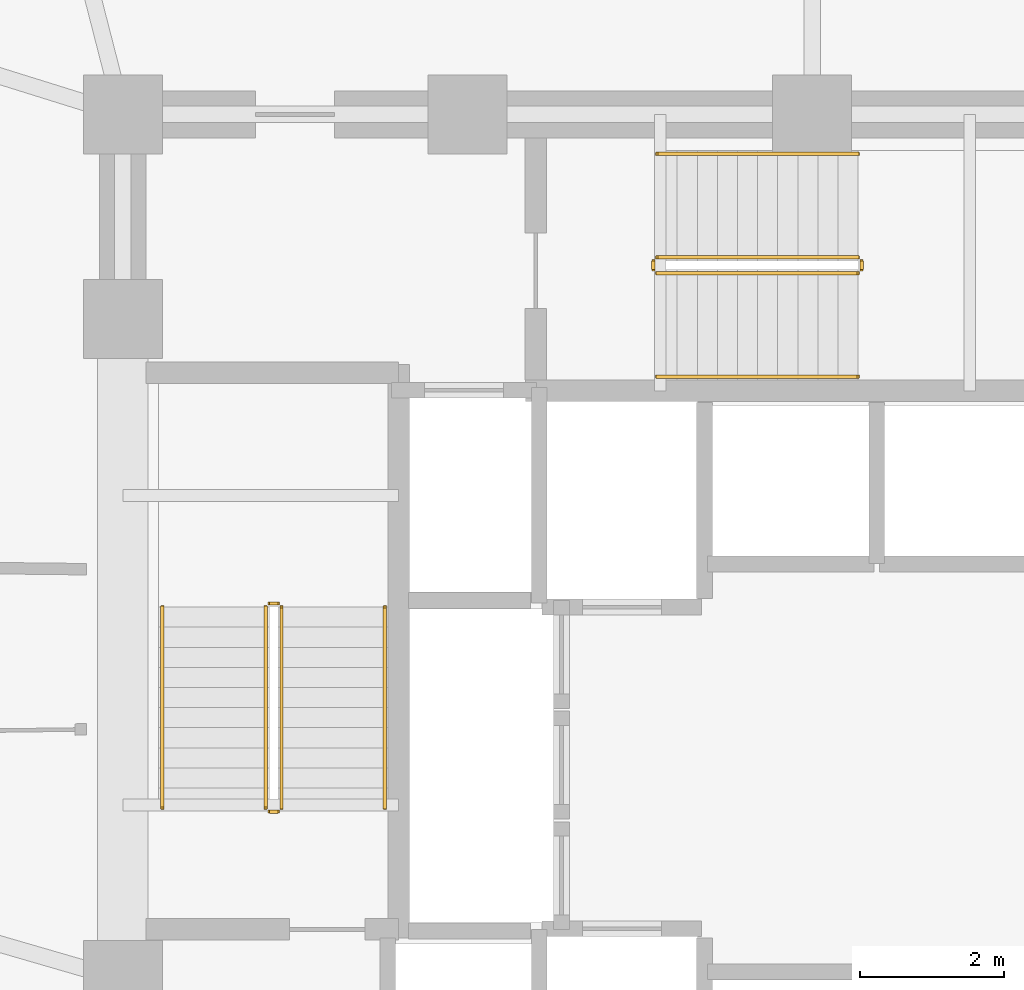
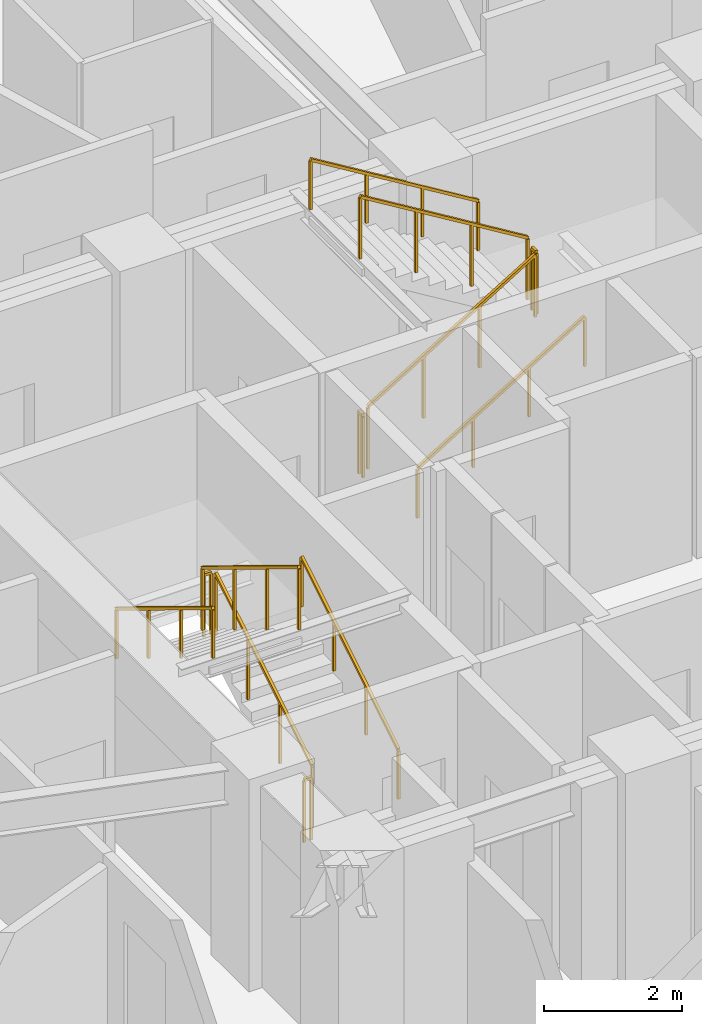
# One storey, part 29 of 31: 12 railings.
"""IFC4 building model written with IfcOpenShell, lengths in metres."""

from ifc_helpers import new_model, si_unit, direction, frame, origin, origin_2d, place, context, subcontext, project, spatial, rectangle, extrude, material, type_object, element, save


model = new_model("IFC4")

# Units and contexts
model_context = context("Model", 3, precision=1e-05, world=origin(), true_north=direction((0.0, 1.0)))
body_context = subcontext(model_context, "Body", "Model", "MODEL_VIEW")
ifc_project = project(units=[si_unit("LENGTHUNIT", "METRE"), si_unit("AREAUNIT", "SQUARE_METRE"), si_unit("VOLUMEUNIT", "CUBIC_METRE"), si_unit("PLANEANGLEUNIT", "RADIAN"), si_unit("MASSUNIT", "GRAM", prefix="KILO")], contexts=[model_context])

# Site, building, storey
site_placement = place(None, origin())
site = spatial("IfcSite", under=ifc_project, at=site_placement, CompositionType="ELEMENT")
building_placement = place(site_placement, origin())
building = spatial("IfcBuilding", under=site, at=building_placement, Name="Vantalir Tower", CompositionType="ELEMENT")
storey_placement = place(building_placement, frame((0.0, 0.0, 34.5)))
storey = spatial("IfcBuildingStorey", under=building, at=storey_placement, Name="L07", CompositionType="ELEMENT", Elevation=34.5)

# Railings
ifc_material_1 = material(Name="Anodised aluminium and stainless steel guard", Category="steel")
railing_type_1 = type_object("IfcRailingType", Name="RAL-GUARD-1120", PredefinedType="GUARDRAIL", material=ifc_material_1)
railing_1_placement = place(storey_placement, frame((24.110107421875, 22.7900390625, 0.17041015625)))
element("IfcRailing", 1, at=railing_1_placement, inside=storey, type_object=railing_type_1, Name="L07 ST1 stair guard 1", PredefinedType="GUARDRAIL", context=body_context, shape_type="SweptSolid", body=[
    extrude(rectangle(XDim=0.048095703125, YDim=0.048095703125, at=origin_2d()), frame((0.0, 0.0, 1.09619140625), z_axis=(0.0, 0.854169791009, 0.51999420009), x_axis=(-1.0, 0.0, 0.0)), (0.0, 0.0, 1.0), 3.278076171875),
    extrude(rectangle(XDim=0.0419921875, YDim=0.0419921875, at=origin_2d()), origin(), (0.0, 0.0, 1.0), 1.072021484375),
    extrude(rectangle(XDim=0.0419921875, YDim=0.0419921875, at=origin_2d()), frame((0.0, 0.933349609375, 0.568115234375)), (0.0, 0.0, 1.0), 1.072021484375),
    extrude(rectangle(XDim=0.0419921875, YDim=0.0419921875, at=origin_2d()), frame((0.0, 1.86669921875, 1.136474609375)), (0.0, 0.0, 1.0), 1.072021484375),
    extrude(rectangle(XDim=0.0419921875, YDim=0.0419921875, at=origin_2d()), frame((0.0, 2.800048828125, 1.70458984375)), (0.0, 0.0, 1.0), 1.072021484375),
])
railing_2_placement = place(storey_placement, frame((24.06005859375, 25.639892578125, 1.875)))
element("IfcRailing", 2, at=railing_2_placement, inside=storey, type_object=railing_type_1, Name="L07 ST1 stair guard 2", PredefinedType="GUARDRAIL", context=body_context, shape_type="SweptSolid", body=[
    extrude(rectangle(XDim=0.048095703125, YDim=0.048095703125, at=origin_2d()), frame((0.0, 0.0, 1.09619140625), z_axis=(-1.0, 0.0, 0.0), x_axis=(0.0, -1.0, 0.0)), (0.0, 0.0, 1.0), 0.1201171875),
    extrude(rectangle(XDim=0.0419921875, YDim=0.0419921875, at=origin_2d()), origin(), (0.0, 0.0, 1.0), 1.072021484375),
    extrude(rectangle(XDim=0.0419921875, YDim=0.0419921875, at=origin_2d()), frame((-0.1201171875, 0.0, 0.0)), (0.0, 0.0, 1.0), 1.072021484375),
])
railing_3_placement = place(storey_placement, frame((23.889892578125, 25.590087890625, 2.04541015625)))
element("IfcRailing", 3, at=railing_3_placement, inside=storey, type_object=railing_type_1, Name="L07 ST1 stair guard 3", PredefinedType="GUARDRAIL", context=body_context, shape_type="SweptSolid", body=[
    extrude(rectangle(XDim=0.048095703125, YDim=0.048095703125, at=origin_2d()), frame((0.0, 0.0, 1.09619140625), z_axis=(0.0, -0.854169791009, 0.51999420009), x_axis=(1.0, 0.0, 0.0)), (0.0, 0.0, 1.0), 3.278076171875),
    extrude(rectangle(XDim=0.0419921875, YDim=0.0419921875, at=origin_2d()), origin(), (0.0, 0.0, 1.0), 1.072021484375),
    extrude(rectangle(XDim=0.0419921875, YDim=0.0419921875, at=origin_2d()), frame((0.0, -0.933349609375, 0.568115234375)), (0.0, 0.0, 1.0), 1.072021484375),
    extrude(rectangle(XDim=0.0419921875, YDim=0.0419921875, at=origin_2d()), frame((0.0, -1.86669921875, 1.136474609375)), (0.0, 0.0, 1.0), 1.072021484375),
    extrude(rectangle(XDim=0.0419921875, YDim=0.0419921875, at=origin_2d()), frame((0.0, -2.800048828125, 1.70458984375)), (0.0, 0.0, 1.0), 1.072021484375),
])
railing_4_placement = place(storey_placement, frame((24.06005859375, 22.739990234375, 0.0)))
element("IfcRailing", 4, at=railing_4_placement, inside=storey, type_object=railing_type_1, Name="L07 ST1 stair guard 4", PredefinedType="GUARDRAIL", context=body_context, shape_type="SweptSolid", body=[
    extrude(rectangle(XDim=0.048095703125, YDim=0.048095703125, at=origin_2d()), frame((0.0, 0.0, 1.09619140625), z_axis=(-1.0, 0.0, 0.0), x_axis=(0.0, -1.0, 0.0)), (0.0, 0.0, 1.0), 0.1201171875),
    extrude(rectangle(XDim=0.0419921875, YDim=0.0419921875, at=origin_2d()), origin(), (0.0, 0.0, 1.0), 1.072021484375),
    extrude(rectangle(XDim=0.0419921875, YDim=0.0419921875, at=origin_2d()), frame((-0.1201171875, 0.0, 0.0)), (0.0, 0.0, 1.0), 1.072021484375),
])
railing_5_placement = place(storey_placement, frame((29.340087890625, 30.239990234375, 0.17041015625)))
element("IfcRailing", 5, at=railing_5_placement, inside=storey, type_object=railing_type_1, Name="L07 ST3 stair guard 1", PredefinedType="GUARDRAIL", context=body_context, shape_type="SweptSolid", body=[
    extrude(rectangle(XDim=0.048095703125, YDim=0.048095703125, at=origin_2d()), frame((0.0, 0.0, 1.09619140625), z_axis=(0.854149651119, 0.0, 0.520027281489), x_axis=(0.0, 1.0, 0.0)), (0.0, 0.0, 1.0), 3.27783203125),
    extrude(rectangle(XDim=0.0419921875, YDim=0.0419921875, at=origin_2d()), origin(), (0.0, 0.0, 1.0), 1.072021484375),
    extrude(rectangle(XDim=0.0419921875, YDim=0.0419921875, at=origin_2d()), frame((0.933349609375, 0.0, 0.568115234375)), (0.0, 0.0, 1.0), 1.072021484375),
    extrude(rectangle(XDim=0.0419921875, YDim=0.0419921875, at=origin_2d()), frame((1.866455078125, 0.0, 1.136474609375)), (0.0, 0.0, 1.0), 1.072021484375),
    extrude(rectangle(XDim=0.0419921875, YDim=0.0419921875, at=origin_2d()), frame((2.7998046875, 0.0, 1.70458984375)), (0.0, 0.0, 1.0), 1.072021484375),
])
railing_6_placement = place(storey_placement, frame((32.18994140625, 30.2900390625, 1.875)))
element("IfcRailing", 6, at=railing_6_placement, inside=storey, type_object=railing_type_1, Name="L07 ST3 stair guard 2", PredefinedType="GUARDRAIL", context=body_context, shape_type="SweptSolid", body=[
    extrude(rectangle(XDim=0.048095703125, YDim=0.048095703125, at=origin_2d()), frame((0.0, 0.0, 1.09619140625), z_axis=(0.0, 1.0, 0.0), x_axis=(-1.0, 0.0, 0.0)), (0.0, 0.0, 1.0), 0.119873046875),
    extrude(rectangle(XDim=0.0419921875, YDim=0.0419921875, at=origin_2d()), origin(), (0.0, 0.0, 1.0), 1.072021484375),
    extrude(rectangle(XDim=0.0419921875, YDim=0.0419921875, at=origin_2d()), frame((0.0, 0.119873046875, 0.0)), (0.0, 0.0, 1.0), 1.072021484375),
])
railing_7_placement = place(storey_placement, frame((32.139892578125, 30.4599609375, 2.04541015625)))
element("IfcRailing", 7, at=railing_7_placement, inside=storey, type_object=railing_type_1, Name="L07 ST3 stair guard 3", PredefinedType="GUARDRAIL", context=body_context, shape_type="SweptSolid", body=[
    extrude(rectangle(XDim=0.048095703125, YDim=0.048095703125, at=origin_2d()), frame((0.0, 0.0, 1.09619140625), z_axis=(-0.854149651119, 0.0, 0.520027281489), x_axis=(0.0, -1.0, 0.0)), (0.0, 0.0, 1.0), 3.27783203125),
    extrude(rectangle(XDim=0.0419921875, YDim=0.0419921875, at=origin_2d()), origin(), (0.0, 0.0, 1.0), 1.072021484375),
    extrude(rectangle(XDim=0.0419921875, YDim=0.0419921875, at=origin_2d()), frame((-0.933349609375, 0.0, 0.568115234375)), (0.0, 0.0, 1.0), 1.072021484375),
    extrude(rectangle(XDim=0.0419921875, YDim=0.0419921875, at=origin_2d()), frame((-1.866455078125, 0.0, 1.136474609375)), (0.0, 0.0, 1.0), 1.072021484375),
    extrude(rectangle(XDim=0.0419921875, YDim=0.0419921875, at=origin_2d()), frame((-2.7998046875, 0.0, 1.70458984375)), (0.0, 0.0, 1.0), 1.072021484375),
])
railing_8_placement = place(storey_placement, frame((29.2900390625, 30.2900390625, 0.0)))
element("IfcRailing", 8, at=railing_8_placement, inside=storey, type_object=railing_type_1, Name="L07 ST3 stair guard 4", PredefinedType="GUARDRAIL", context=body_context, shape_type="SweptSolid", body=[
    extrude(rectangle(XDim=0.048095703125, YDim=0.048095703125, at=origin_2d()), frame((0.0, 0.0, 1.09619140625), z_axis=(0.0, 1.0, 0.0), x_axis=(-1.0, 0.0, 0.0)), (0.0, 0.0, 1.0), 0.119873046875),
    extrude(rectangle(XDim=0.0419921875, YDim=0.0419921875, at=origin_2d()), origin(), (0.0, 0.0, 1.0), 1.072021484375),
    extrude(rectangle(XDim=0.0419921875, YDim=0.0419921875, at=origin_2d()), frame((0.0, 0.119873046875, 0.0)), (0.0, 0.0, 1.0), 1.072021484375),
])
ifc_material_2 = material(Name="Brushed stainless steel tubular handrail", Category="steel")
railing_type_2 = type_object("IfcRailingType", Name="RAL-HANDRAIL-900", PredefinedType="HANDRAIL", material=ifc_material_2)
railing_9_placement = place(storey_placement, frame((25.550048828125, 22.7900390625, 0.17041015625)))
element("IfcRailing", 9, at=railing_9_placement, inside=storey, type_object=railing_type_2, Name="L07 ST1 stair handrail 1", PredefinedType="HANDRAIL", context=body_context, shape_type="SweptSolid", body=[
    extrude(rectangle(XDim=0.048095703125, YDim=0.048095703125, at=origin_2d()), frame((0.0, 0.0, 0.8759765625), z_axis=(0.0, 0.854169791009, 0.51999420009), x_axis=(-1.0, 0.0, 0.0)), (0.0, 0.0, 1.0), 3.278076171875),
    extrude(rectangle(XDim=0.0419921875, YDim=0.0419921875, at=origin_2d()), origin(), (0.0, 0.0, 1.0), 0.851806640625),
    extrude(rectangle(XDim=0.0419921875, YDim=0.0419921875, at=origin_2d()), frame((0.0, 0.933349609375, 0.568115234375)), (0.0, 0.0, 1.0), 0.851806640625),
    extrude(rectangle(XDim=0.0419921875, YDim=0.0419921875, at=origin_2d()), frame((0.0, 1.86669921875, 1.136474609375)), (0.0, 0.0, 1.0), 0.851806640625),
    extrude(rectangle(XDim=0.0419921875, YDim=0.0419921875, at=origin_2d()), frame((0.0, 2.800048828125, 1.70458984375)), (0.0, 0.0, 1.0), 0.851806640625),
])
railing_10_placement = place(storey_placement, frame((22.449951171875, 25.590087890625, 2.04541015625)))
element("IfcRailing", 10, at=railing_10_placement, inside=storey, type_object=railing_type_2, Name="L07 ST1 stair handrail 2", PredefinedType="HANDRAIL", context=body_context, shape_type="SweptSolid", body=[
    extrude(rectangle(XDim=0.048095703125, YDim=0.048095703125, at=origin_2d()), frame((0.0, 0.0, 0.8759765625), z_axis=(0.0, -0.854169791009, 0.51999420009), x_axis=(1.0, 0.0, 0.0)), (0.0, 0.0, 1.0), 3.278076171875),
    extrude(rectangle(XDim=0.0419921875, YDim=0.0419921875, at=origin_2d()), origin(), (0.0, 0.0, 1.0), 0.851806640625),
    extrude(rectangle(XDim=0.0419921875, YDim=0.0419921875, at=origin_2d()), frame((0.0, -0.933349609375, 0.568115234375)), (0.0, 0.0, 1.0), 0.851806640625),
    extrude(rectangle(XDim=0.0419921875, YDim=0.0419921875, at=origin_2d()), frame((0.0, -1.86669921875, 1.136474609375)), (0.0, 0.0, 1.0), 0.851806640625),
    extrude(rectangle(XDim=0.0419921875, YDim=0.0419921875, at=origin_2d()), frame((0.0, -2.800048828125, 1.70458984375)), (0.0, 0.0, 1.0), 0.851806640625),
])
railing_11_placement = place(storey_placement, frame((29.340087890625, 28.800048828125, 0.17041015625)))
element("IfcRailing", 11, at=railing_11_placement, inside=storey, type_object=railing_type_2, Name="L07 ST3 stair handrail 1", PredefinedType="HANDRAIL", context=body_context, shape_type="SweptSolid", body=[
    extrude(rectangle(XDim=0.048095703125, YDim=0.048095703125, at=origin_2d()), frame((0.0, 0.0, 0.8759765625), z_axis=(0.854149651119, 0.0, 0.520027281489), x_axis=(0.0, 1.0, 0.0)), (0.0, 0.0, 1.0), 3.27783203125),
    extrude(rectangle(XDim=0.0419921875, YDim=0.0419921875, at=origin_2d()), origin(), (0.0, 0.0, 1.0), 0.851806640625),
    extrude(rectangle(XDim=0.0419921875, YDim=0.0419921875, at=origin_2d()), frame((0.933349609375, 0.0, 0.568115234375)), (0.0, 0.0, 1.0), 0.851806640625),
    extrude(rectangle(XDim=0.0419921875, YDim=0.0419921875, at=origin_2d()), frame((1.866455078125, 0.0, 1.136474609375)), (0.0, 0.0, 1.0), 0.851806640625),
    extrude(rectangle(XDim=0.0419921875, YDim=0.0419921875, at=origin_2d()), frame((2.7998046875, 0.0, 1.70458984375)), (0.0, 0.0, 1.0), 0.851806640625),
])
railing_12_placement = place(storey_placement, frame((32.139892578125, 31.89990234375, 2.04541015625)))
element("IfcRailing", 12, at=railing_12_placement, inside=storey, type_object=railing_type_2, Name="L07 ST3 stair handrail 2", PredefinedType="HANDRAIL", context=body_context, shape_type="SweptSolid", body=[
    extrude(rectangle(XDim=0.048095703125, YDim=0.048095703125, at=origin_2d()), frame((0.0, 0.0, 0.8759765625), z_axis=(-0.854149651119, 0.0, 0.520027281489), x_axis=(0.0, -1.0, 0.0)), (0.0, 0.0, 1.0), 3.27783203125),
    extrude(rectangle(XDim=0.0419921875, YDim=0.0419921875, at=origin_2d()), origin(), (0.0, 0.0, 1.0), 0.851806640625),
    extrude(rectangle(XDim=0.0419921875, YDim=0.0419921875, at=origin_2d()), frame((-0.933349609375, 0.0, 0.568115234375)), (0.0, 0.0, 1.0), 0.851806640625),
    extrude(rectangle(XDim=0.0419921875, YDim=0.0419921875, at=origin_2d()), frame((-1.866455078125, 0.0, 1.136474609375)), (0.0, 0.0, 1.0), 0.851806640625),
    extrude(rectangle(XDim=0.0419921875, YDim=0.0419921875, at=origin_2d()), frame((-2.7998046875, 0.0, 1.70458984375)), (0.0, 0.0, 1.0), 0.851806640625),
])

save(model, "model.ifc")
